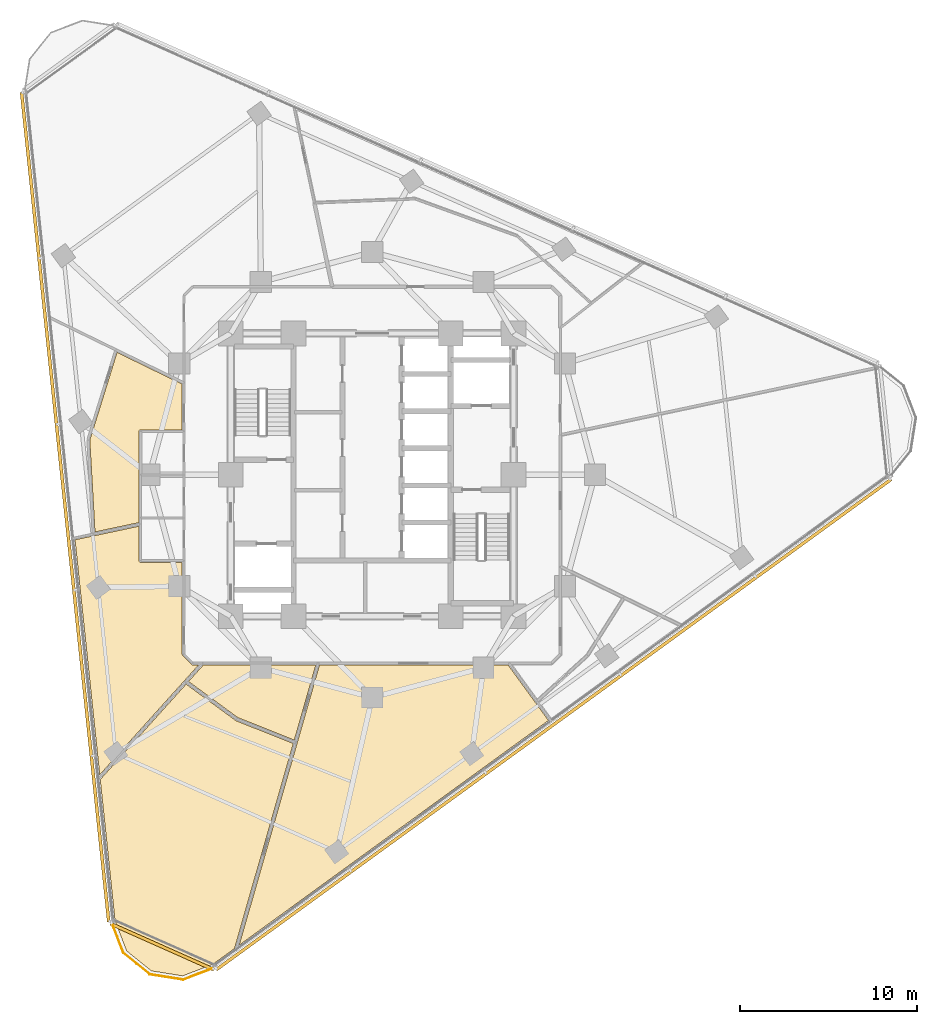
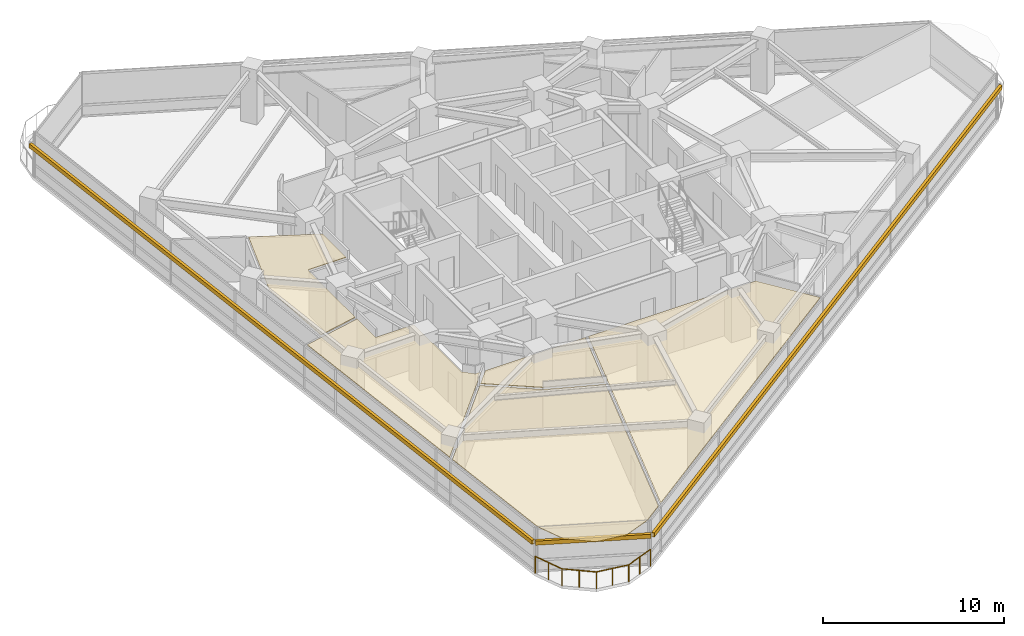
# One storey, part 12 of 14: 5 coverings, 3 shading devices, 1 railing.
"""IFC4 building model written with IfcOpenShell, lengths in metres."""

import ifcopenshell
import ifcopenshell.guid

model = None  # the IFC model being written
_history = None  # IfcOwnerHistory: only IFC2X3 demands one
_inside = {}  # id of a spatial element -> (the spatial element, [elements in it])
_under = {}  # id of a project, library or spatial element -> (it, [spatial elements below it])
_declared = {}  # id of a project -> (the project, [libraries it declares])
_typed = {}  # id of a type object -> (the type object, [elements of that type])
_made_of = {}  # id of a material, layer set ... -> (it, [elements and type objects made of it])


def new_model(schema):
    """Start an empty IFC model of exactly this schema.

    Asked for "IFC4X3", IfcOpenShell would pick the latest addendum, in which some entities
    have other attributes; the version numbers below select the first issue.
    IFC2X3 requires an IfcOwnerHistory on every rooted entity: one is made here for all.
    """
    global model, _history
    if schema == "IFC4X3":
        model = ifcopenshell.file(schema_version=(4, 3, 0, 0))
    else:
        model = ifcopenshell.file(schema=schema)
    _inside.clear()
    _under.clear()
    _declared.clear()
    _typed.clear()
    _made_of.clear()
    _history = None
    if model.schema == "IFC2X3":
        org = make("IfcOrganization", Name="unknown")
        user = make(
            "IfcPersonAndOrganization",
            ThePerson=make("IfcPerson", FamilyName="unknown"),
            TheOrganization=org,
        )
        app = make(
            "IfcApplication",
            ApplicationDeveloper=org,
            Version="unknown",
            ApplicationFullName="unknown",
            ApplicationIdentifier="unknown",
        )
        _history = make(
            "IfcOwnerHistory",
            OwningUser=user,
            OwningApplication=app,
            ChangeAction="ADDED",
            CreationDate=0,
        )
    return model


def make(cls, **values):
    """One entity of the class cls with the attributes given. An attribute that is None is left unset."""
    return model.create_entity(
        cls, **{name: value for name, value in values.items() if value is not None}
    )


def rooted(cls, **values):
    """An entity with a GlobalId (a new one), such as an element, a storey or a relation."""
    return make(cls, GlobalId=ifcopenshell.guid.new(), OwnerHistory=_history, **values)


def si_unit(unit_type, name, prefix=None):
    """IfcSIUnit, for example si_unit("LENGTHUNIT", "METRE", prefix="MILLI")."""
    return make("IfcSIUnit", UnitType=unit_type, Prefix=prefix, Name=name)


def assignment(units):
    """IfcUnitAssignment: the units of a project."""
    return None if units is None else make("IfcUnitAssignment", Units=units)


def point(xyz):
    """IfcCartesianPoint."""
    return None if xyz is None else make("IfcCartesianPoint", Coordinates=xyz)


def direction(xyz):
    """IfcDirection."""
    return None if xyz is None else make("IfcDirection", DirectionRatios=xyz)


def frame(location, z_axis=None, x_axis=None):
    """IfcAxis2Placement3D, a coordinate frame: its origin and axes. An axis left out is left unset."""
    return make(
        "IfcAxis2Placement3D",
        Location=point(location),
        Axis=direction(z_axis),
        RefDirection=direction(x_axis),
    )


def frame_2d(location, x_axis=None):
    """IfcAxis2Placement2D, a coordinate frame in the plane: its origin and x axis."""
    return make(
        "IfcAxis2Placement2D", Location=point(location), RefDirection=direction(x_axis)
    )


def origin():
    """The frame at (0, 0, 0) with its axes left unset."""
    return frame((0.0, 0.0, 0.0))


def origin_2d():
    """The frame at (0, 0) in the plane with its x axis left unset."""
    return frame_2d((0.0, 0.0))


def place(relative_to, where):
    """IfcLocalPlacement: puts the frame where relative to a parent placement (None: the world)."""
    return make(
        "IfcLocalPlacement", PlacementRelTo=relative_to, RelativePlacement=where
    )


def context(
    kind, dimensions, precision=None, world=None, true_north=None, identifier=None
):
    """IfcGeometricRepresentationContext, for example the 3D "Model" context."""
    return make(
        "IfcGeometricRepresentationContext",
        ContextIdentifier=identifier,
        ContextType=kind,
        CoordinateSpaceDimension=dimensions,
        Precision=precision,
        WorldCoordinateSystem=world,
        TrueNorth=true_north,
    )


def subcontext(parent, identifier, kind, view, scale=None):
    """IfcGeometricRepresentationSubContext, for example "Body" below "Model"."""
    return make(
        "IfcGeometricRepresentationSubContext",
        ContextIdentifier=identifier,
        ContextType=kind,
        ParentContext=parent,
        TargetScale=scale,
        TargetView=view,
    )


def project(units=None, contexts=None):
    """IfcProject with its units and contexts."""
    return rooted(
        "IfcProject",
        Name="project",
        RepresentationContexts=contexts,
        UnitsInContext=assignment(units),
    )


def spatial(cls, under=None, at=None, **own):
    """A site, building, storey or space (cls), placed at a placement, below another one or the project."""
    s = rooted(cls, ObjectPlacement=at, **own)
    if under is not None:
        _under.setdefault(under.id(), (under, []))[1].append(s)
    return s


def polyline(points):
    """IfcPolyline through the points."""
    return make("IfcPolyline", Points=[point(p) for p in points])


def profile(cls, at=None, kind="AREA", **sizes):
    """A parametric profile (cls). Its sizes go by their IFC names, for example OverallWidth=200.0."""
    return make(cls, ProfileType=kind, Position=at, **sizes)


def rectangle(**sizes):
    """IfcRectangleProfileDef."""
    return profile("IfcRectangleProfileDef", **sizes)


def circle(**sizes):
    """IfcCircleProfileDef."""
    return profile("IfcCircleProfileDef", **sizes)


def outline(outer, holes=None, kind="AREA"):
    """IfcArbitraryClosedProfileDef: a profile drawn as a closed curve; with holes, ...WithVoids."""
    if holes is None:
        return make("IfcArbitraryClosedProfileDef", ProfileType=kind, OuterCurve=outer)
    return make(
        "IfcArbitraryProfileDefWithVoids",
        ProfileType=kind,
        OuterCurve=outer,
        InnerCurves=holes,
    )


def extrude(swept, where, along, depth):
    """IfcExtrudedAreaSolid: the profile swept, set in the frame where, extruded along a direction by depth."""
    return make(
        "IfcExtrudedAreaSolid",
        SweptArea=swept,
        Position=where,
        ExtrudedDirection=direction(along),
        Depth=depth,
    )


def shape(context_of_items, identifier, shape_type, items):
    """IfcShapeRepresentation: the items that make up one representation, for example the "Body"."""
    return make(
        "IfcShapeRepresentation",
        ContextOfItems=context_of_items,
        RepresentationIdentifier=identifier,
        RepresentationType=shape_type,
        Items=items,
    )


def material(Name=None, Category=None):
    """IfcMaterial."""
    return make("IfcMaterial", Name=Name, Category=Category)


def layer(
    of_material, thickness, ventilated=None, Name=None, Category=None, Priority=None
):
    """IfcMaterialLayer: one layer of a wall or slab, of a material (None: an air gap)."""
    return make(
        "IfcMaterialLayer",
        Material=of_material,
        LayerThickness=thickness,
        IsVentilated=ventilated,
        Name=Name,
        Category=Category,
        Priority=Priority,
    )


def layer_set(layers, Name=None):
    """IfcMaterialLayerSet."""
    return make("IfcMaterialLayerSet", MaterialLayers=layers, LayerSetName=Name)


def made_of(thing, what):
    """Note that an element or type object is made of a material, layer set ...; save() writes the relation."""
    if what is not None:
        _made_of.setdefault(what.id(), (what, []))[1].append(thing)
    return thing


def type_object(cls, material=None, **own):
    """A type object (cls), such as IfcWallType, which elements share."""
    return made_of(rooted(cls, **own), material)


def element(
    cls,
    number,
    at=None,
    inside=None,
    cuts=None,
    type_object=None,
    material=None,
    context=None,
    identifier="Body",
    shape_type=None,
    held_by="IfcProductDefinitionShape",
    body=None,
    shapes=None,
    **own,
):
    """One element of the class cls, such as IfcWall. Its Tag is "e" and its number.

    at: its placement. inside: the storey or other place that contains it. cuts: it is an
    opening in that element (IfcRelVoidsElement). A single representation is given by context,
    identifier, shape_type and body (its items); several are given by shapes. held_by: the class
    of the entity that holds the representations. save() writes the other relations.
    """
    e = rooted(cls, Tag="e%d" % number, ObjectPlacement=at, **own)
    if body is not None:
        shapes = [shape(context, identifier, shape_type, body)]
    if shapes is not None:
        e.Representation = make(held_by, Representations=shapes)
    if inside is not None:
        _inside.setdefault(inside.id(), (inside, []))[1].append(e)
    if cuts is not None:
        rooted(
            "IfcRelVoidsElement", RelatingBuildingElement=cuts, RelatedOpeningElement=e
        )
    if type_object is not None:
        _typed.setdefault(type_object.id(), (type_object, []))[1].append(e)
    return made_of(e, material)


def aggregate(whole, parts):
    """IfcRelAggregates: a whole, such as a stair, and the parts it consists of."""
    return rooted("IfcRelAggregates", RelatingObject=whole, RelatedObjects=parts)


def save(model, path):
    """Write the relations noted so far, then the file.

    IfcRelAggregates (storeys below a building ...), IfcRelContainedInSpatialStructure (elements
    in a storey), IfcRelDefinesByType, IfcRelAssociatesMaterial and IfcRelDeclares: one each for
    every whole, place, type object, material and project.
    """
    for whole, parts in _under.values():
        aggregate(whole, parts)
    for where, things in _inside.values():
        rooted(
            "IfcRelContainedInSpatialStructure",
            RelatedElements=things,
            RelatingStructure=where,
        )
    for kind, things in _typed.values():
        rooted("IfcRelDefinesByType", RelatedObjects=things, RelatingType=kind)
    for what, things in _made_of.values():
        rooted("IfcRelAssociatesMaterial", RelatedObjects=things, RelatingMaterial=what)
    for by, libraries in _declared.values():
        rooted("IfcRelDeclares", RelatingContext=by, RelatedDefinitions=libraries)
    model.write(path)


model = new_model("IFC4")

# Units and contexts
model_context = context("Model", 3, precision=1e-05, world=origin(), true_north=direction((0.0, 1.0)))
body_context = subcontext(model_context, "Body", "Model", "MODEL_VIEW")
ifc_project = project(units=[si_unit("LENGTHUNIT", "METRE"), si_unit("AREAUNIT", "SQUARE_METRE"), si_unit("VOLUMEUNIT", "CUBIC_METRE"), si_unit("PLANEANGLEUNIT", "RADIAN"), si_unit("MASSUNIT", "GRAM", prefix="KILO")], contexts=[model_context])

# Site, building, storey
site_placement = place(None, origin())
site = spatial("IfcSite", under=ifc_project, at=site_placement, CompositionType="ELEMENT")
building_placement = place(site_placement, origin())
building = spatial("IfcBuilding", under=site, at=building_placement, Name="Terralouvre Media Tower", CompositionType="ELEMENT")
storey_placement = place(building_placement, frame((0.0, 0.0, 165.699951171875)))
storey = spatial("IfcBuildingStorey", under=building, at=storey_placement, Name="L42", CompositionType="ELEMENT", Elevation=165.699951171875)

# Coverings
ifc_material_1 = material(Name="Perforated aluminium acoustic ceiling baffle", Category="aluminium")
ifc_layer_1 = layer(ifc_material_1, 0.0400390625, Name="Perforated Acoustic Metal Tile Ceiling CL-AC1")
ifc_layer_set_1 = layer_set([ifc_layer_1], Name="Perforated aluminium acoustic ceiling baffle")
covering_type = type_object("IfcCoveringType", Name="Perforated Acoustic Metal Tile Ceiling CL-AC1", PredefinedType="CEILING", material=ifc_layer_set_1)
covering_1_placement = place(storey_placement, frame((0.0, 0.0, 2.97998046875), z_axis=(0.0, 0.0, 1.0), x_axis=(0.809016994375, 0.587785252292, 0.0)))
element("IfcCovering", 1, at=covering_1_placement, inside=storey, type_object=covering_type, Name="L42 Journalism Training Classroom 1 Acoustic Ceiling", PredefinedType="CEILING", context=body_context, shape_type="SweptSolid", body=[
    extrude(outline(polyline([(-14.258056640625, -2.9287109375), (-14.5302734375, -2.73095703125), (-14.537841796875, -2.724853515625), (-14.544921875, -2.718017578125), (-14.55126953125, -2.71044921875), (-14.556640625, -2.7021484375), (-14.561279296875, -2.693603515625), (-14.565185546875, -2.6845703125), (-14.568115234375, -2.67529296875), (-14.570068359375, -2.665771484375), (-14.680908203125, -1.96728515625), (-14.681884765625, -1.95751953125), (-14.681884765625, -1.94775390625), (-14.68115234375, -1.93798828125), (-14.67919921875, -1.92822265625), (-14.676513671875, -1.918701171875), (-14.6728515625, -1.90966796875), (-14.668212890625, -1.901123046875), (-14.662841796875, -1.892822265625), (-11.6064453125, 2.31396484375), (-13.507568359375, 3.6953125), (-13.515380859375, 3.701416015625), (-13.522216796875, 3.708251953125), (-13.528564453125, 3.7158203125), (-13.5341796875, 3.72412109375), (-13.538818359375, 3.732666015625), (-13.542724609375, 3.74169921875), (-13.545654296875, 3.7509765625), (-13.547607421875, 3.760498046875), (-13.548583984375, 3.7705078125), (-13.548828125, 3.780029296875), (-13.5478515625, 3.7900390625), (-13.546142578125, 3.799560546875), (-13.54345703125, 3.80908203125), (-13.539794921875, 3.818115234375), (-13.53515625, 3.826904296875), (-13.52978515625, 3.8349609375), (-12.387939453125, 5.406494140625), (-14.775390625, 6.469482421875), (-15.7626953125, 6.908447265625), (-22.447265625, -4.668701171875), (-15.429931640625, -3.177490234375), (-14.258056640625, -2.9287109375)])), origin(), (0.0, 0.0, 1.0), 0.0400390625),
])
covering_2_placement = place(storey_placement, frame((0.0, 0.0, 2.97998046875), z_axis=(0.0, 0.0, 1.0), x_axis=(0.809016994375, 0.587785252292, 0.0)))
element("IfcCovering", 2, at=covering_2_placement, inside=storey, type_object=covering_type, Name="L42 Broadcast Ethics Seminar Room 2 Acoustic Ceiling", PredefinedType="CEILING", context=body_context, shape_type="SweptSolid", body=[
    extrude(outline(polyline([(-14.228271484375, -6.634765625), (-12.387939453125, -9.5517578125), (-8.896728515625, -6.82373046875), (-14.040283203125, -3.0869140625), (-15.280029296875, -3.35009765625), (-14.228271484375, -6.634765625)])), origin(), (0.0, 0.0, 1.0), 0.0400390625),
])
covering_3_placement = place(storey_placement, frame((0.0, 0.0, 2.97998046875), z_axis=(0.0, 0.0, 1.0), x_axis=(0.809016994375, 0.587785252292, 0.0)))
element("IfcCovering", 3, at=covering_3_placement, inside=storey, type_object=covering_type, Name="L42 Voice Coaching Interview Room 3 Acoustic Ceiling", PredefinedType="CEILING", context=body_context, shape_type="SweptSolid", body=[
    extrude(outline(polyline([(-14.404296875, -6.730712890625), (-14.408447265625, -6.723388671875), (-14.411865234375, -6.7158203125), (-14.4150390625, -6.7080078125), (-15.476806640625, -3.391845703125), (-22.581787109375, -4.901611328125), (-26.59912109375, -11.860107421875), (-27.072509765625, -13.62548828125), (-26.60693359375, -15.362060546875), (-25.3359375, -16.632568359375), (-23.571044921875, -17.10546875), (-22.056396484375, -17.105712890625), (-12.54638671875, -9.675537109375), (-14.404296875, -6.730712890625)])), origin(), (0.0, 0.0, 1.0), 0.0400390625),
])
covering_4_placement = place(storey_placement, frame((0.0, 0.0, 2.97998046875), z_axis=(0.0, 0.0, 1.0), x_axis=(0.809016994375, 0.587785252292, 0.0)))
element("IfcCovering", 4, at=covering_4_placement, inside=storey, type_object=covering_type, Name="L42 Digital Editing Lecture Room 4 Acoustic Ceiling", PredefinedType="CEILING", context=body_context, shape_type="SweptSolid", body=[
    extrude(outline(polyline([(-0.099853515625, -13.21533203125), (-8.728515625, -6.946044921875), (-12.35205078125, -9.777587890625), (-21.731689453125, -17.105712890625), (-0.100341796875, -17.10595703125), (-0.099853515625, -15.84912109375), (-0.099853515625, -13.21533203125)])), origin(), (0.0, 0.0, 1.0), 0.0400390625),
])
covering_5_placement = place(storey_placement, frame((0.0, 0.0, 2.97998046875), z_axis=(0.0, 0.0, 1.0), x_axis=(0.809016994375, 0.587785252292, 0.0)))
element("IfcCovering", 5, at=covering_5_placement, inside=storey, type_object=covering_type, Name="L42 Admissions Reception 13 Acoustic Ceiling", PredefinedType="CEILING", context=body_context, shape_type="SweptSolid", body=[
    extrude(outline(polyline([(-11.7734375, 10.978759765625), (-14.587646484375, 6.604736328125), (-12.267822265625, 5.572021484375), (-9.239013671875, 9.740966796875), (-9.232666015625, 9.74853515625), (-9.225830078125, 9.755615234375), (-9.218505859375, 9.76171875), (-9.210205078125, 9.767333984375), (-9.20166015625, 9.77197265625), (-9.192626953125, 9.77587890625), (-9.183349609375, 9.77880859375), (-9.173583984375, 9.78076171875), (-9.163818359375, 9.781982421875), (-9.154296875, 9.781982421875), (-9.144287109375, 9.781005859375), (-9.134765625, 9.779296875), (-9.125244140625, 9.776611328125), (-9.1162109375, 9.77294921875), (-9.107421875, 9.768310546875), (-9.099365234375, 9.762939453125), (-7.197998046875, 8.381591796875), (-5.6806640625, 10.47021484375), (-7.605712890625, 14.091796875), (-11.7734375, 10.978759765625)])), origin(), (0.0, 0.0, 1.0), 0.0400390625),
])

# Railing
ifc_material_2 = material(Name="Stainless steel 316 handrail and balustrade", Category="steel")
ifc_layer_2 = layer(ifc_material_2, 0.06005859375, Name="Roof Edge Safety Guardrail GR-ROOF1")
ifc_layer_set_2 = layer_set([ifc_layer_2], Name="Stainless steel 316 handrail and balustrade")
railing_type = type_object("IfcRailingType", Name="Roof Edge Safety Guardrail GR-ROOF1", PredefinedType="GUARDRAIL", material=ifc_layer_set_2)
railing_placement = place(storey_placement, frame((-14.756103515625, -25.268798828125, 0.0)))
element("IfcRailing", 6, at=railing_placement, inside=storey, type_object=railing_type, Name="L42 Wind-Corner Perimeter Safety Guardrail C0", PredefinedType="GUARDRAIL", context=body_context, shape_type="SweptSolid", body=[
    extrude(circle(Radius=0.02099609375, at=origin_2d()), frame((0.0, 0.0, 1.12890625), z_axis=(0.358184292829, -0.933650904981, 0.0), x_axis=(0.933650904981, 0.358184292829, 0.0)), (0.0, 0.0, 1.0), 1.91455078125),
    extrude(circle(Radius=0.02099609375, at=origin_2d()), frame((0.685791015625, -1.78759765625, 1.12890625), z_axis=(0.777022086472, -0.62947333314, 0.0), x_axis=(0.62947333314, 0.777022086472, 0.0)), (0.0, 0.0, 1.0), 1.914306640625),
    extrude(circle(Radius=0.02099609375, at=origin_2d()), frame((2.17333984375, -2.99267578125, 1.12890625), z_axis=(0.987721569441, -0.156224521958, 0.0), x_axis=(0.156224521958, 0.987721569441, 0.0)), (0.0, 0.0, 1.0), 1.914306640625),
    extrude(circle(Radius=0.02099609375, at=origin_2d()), frame((4.064208984375, -3.291748046875, 1.12890625), z_axis=(0.933506543973, 0.358560360832, 0.0), x_axis=(-0.358560360832, 0.933506543973, 0.0)), (0.0, 0.0, 1.0), 1.91455078125),
    extrude(circle(Radius=0.01904296875, at=origin_2d()), origin(), (0.0, 0.0, 1.0), 1.10791015625),
    extrude(circle(Radius=0.01904296875, at=origin_2d()), frame((0.3427734375, -0.893798828125, 0.0)), (0.0, 0.0, 1.0), 1.10791015625),
    extrude(circle(Radius=0.01904296875, at=origin_2d()), frame((0.685791015625, -1.78759765625, 0.0)), (0.0, 0.0, 1.0), 1.10791015625),
    extrude(circle(Radius=0.01904296875, at=origin_2d()), frame((1.4296875, -2.39013671875, 0.0)), (0.0, 0.0, 1.0), 1.10791015625),
    extrude(circle(Radius=0.01904296875, at=origin_2d()), frame((2.17333984375, -2.99267578125, 0.0)), (0.0, 0.0, 1.0), 1.10791015625),
    extrude(circle(Radius=0.01904296875, at=origin_2d()), frame((3.11865234375, -3.14208984375, 0.0)), (0.0, 0.0, 1.0), 1.10791015625),
    extrude(circle(Radius=0.01904296875, at=origin_2d()), frame((4.064208984375, -3.291748046875, 0.0)), (0.0, 0.0, 1.0), 1.10791015625),
    extrude(circle(Radius=0.01904296875, at=origin_2d()), frame((4.9580078125, -2.948486328125, 0.0)), (0.0, 0.0, 1.0), 1.10791015625),
    extrude(circle(Radius=0.01904296875, at=origin_2d()), frame((5.8515625, -2.605224609375, 0.0)), (0.0, 0.0, 1.0), 1.10791015625),
])

# Shading devices
ifc_material_3 = material(Name="Extruded terracotta baguette sunshade louvres", Category="masonry")
shading_device_type = type_object("IfcShadingDeviceType", Name="Terracotta Baguette Sunshade Louvre Screen TB-LV1", PredefinedType="USERDEFINED", material=ifc_material_3)
for number, where, z_axis, x_axis, name in (
    (7, (10.265869140625, -14.1298828125, 2.02392578125), (0.0, 0.0, 1.0), (0.809016917383, 0.587785358263, 0.0), "CW-L42-F0 Terracotta Baguette Sunshade Louvre"),
    (8, (-17.369873046875, -1.82568359375, 2.02392578125), (0.0, 0.0, 1.0), (0.104528376236, -0.994521904516, 0.0), "CW-L42-F2 Terracotta Baguette Sunshade Louvre"),
):
    element("IfcShadingDevice", number, at=place(storey_placement, frame(where, z_axis=z_axis, x_axis=x_axis)), inside=storey, type_object=shading_device_type, Name=name, ObjectType="BAGUETTE", PredefinedType="USERDEFINED", context=body_context, shape_type="SweptSolid", body=[
        extrude(rectangle(XDim=47.199951171875, YDim=0.179931640625, at=origin_2d()), origin(), (0.0, 0.0, 1.0), 0.280029296875),
    ])
shading_device_placement = place(storey_placement, frame((-11.88525390625, -26.694580078125, 2.02392578125), z_axis=(0.0, 0.0, 1.0), x_axis=(0.913545408199, -0.406736754128, 0.0)))
element("IfcShadingDevice", 9, at=shading_device_placement, inside=storey, type_object=shading_device_type, Name="CW-L42-C0 Terracotta Baguette Sunshade Louvre", ObjectType="BAGUETTE", PredefinedType="USERDEFINED", context=body_context, shape_type="SweptSolid", body=[
    extrude(rectangle(XDim=6.40869140625, YDim=0.179931640625, at=origin_2d()), origin(), (0.0, 0.0, 1.0), 0.280029296875),
])

save(model, "model.ifc")
